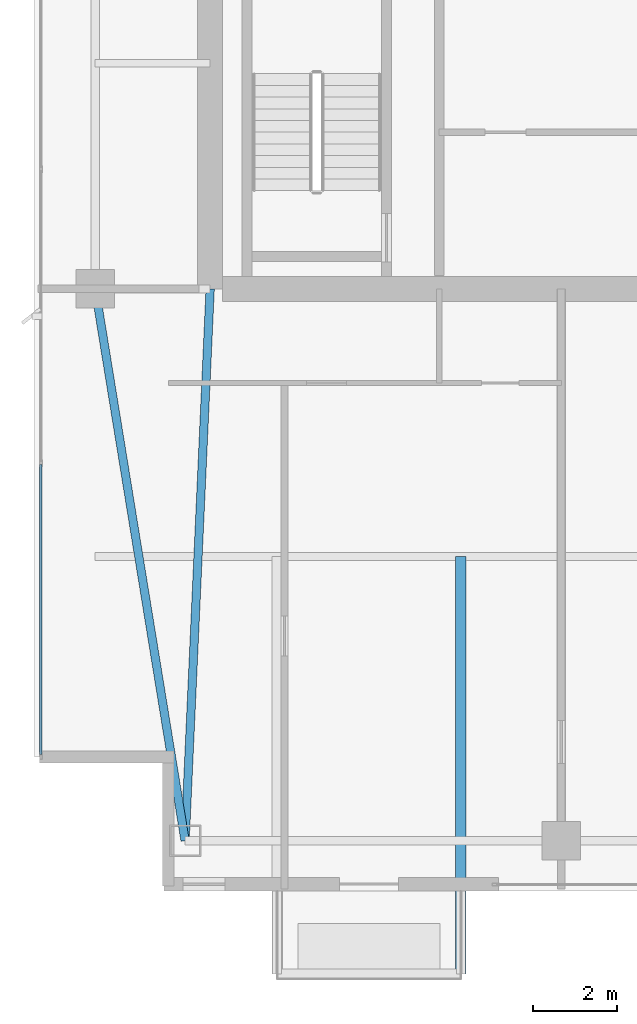
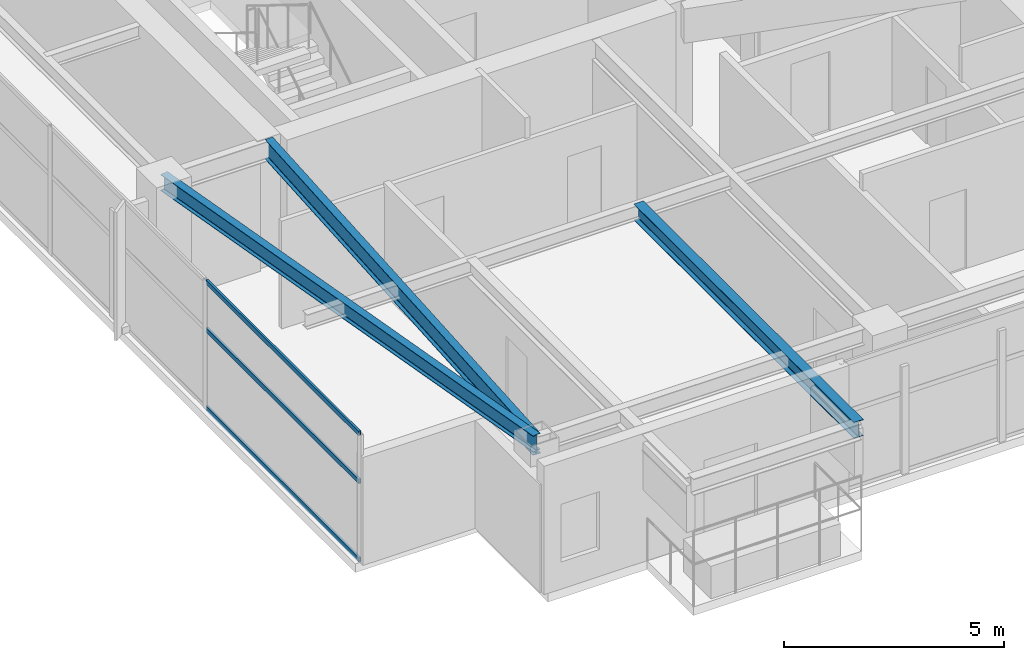
# One storey, part 4 of 28: 3 beams, 3 members, 1 element without a shape of its own.
"""IFC4 building model written with IfcOpenShell, lengths in metres."""

from ifc_helpers import new_model, si_unit, direction, frame, origin, origin_2d, place, context, subcontext, project, spatial, hollow_rectangle, i_section, extrude, material, layer, layer_set, material_profile, profile_set, type_object, element, aggregate, save


model = new_model("IFC4")

# Units and contexts
model_context = context("Model", 3, precision=1e-05, world=origin(), true_north=direction((0.0, 1.0)))
body_context = subcontext(model_context, "Body", "Model", "MODEL_VIEW")
ifc_project = project(units=[si_unit("LENGTHUNIT", "METRE"), si_unit("AREAUNIT", "SQUARE_METRE"), si_unit("VOLUMEUNIT", "CUBIC_METRE"), si_unit("PLANEANGLEUNIT", "RADIAN"), si_unit("MASSUNIT", "GRAM", prefix="KILO")], contexts=[model_context])

# Site, building, storey
site_placement = place(None, origin())
site = spatial("IfcSite", under=ifc_project, at=site_placement, CompositionType="ELEMENT")
building_placement = place(site_placement, origin())
building = spatial("IfcBuilding", under=site, at=building_placement, Name="Calvorn Quay Hotel", CompositionType="ELEMENT")
storey_placement = place(building_placement, frame((0.0, 0.0, 271.10009765625)))
storey = spatial("IfcBuildingStorey", under=building, at=storey_placement, Name="L67", CompositionType="ELEMENT", Elevation=271.10009765625)

# Beams
ifc_material_1 = material(Name="Steel Q355B", Category="steel")
ifc_material_profile_1 = material_profile(ifc_material_1, i_section(OverallWidth=0.25, OverallDepth=0.449951171875, WebThickness=0.011962890625, FlangeThickness=0.01611328125, FilletRadius=0.01611328125, at=origin_2d()), Name="HN450x250x12x16")
ifc_profile_set_1 = profile_set([ifc_material_profile_1], Name="Steel Q355B")
beam_type_1 = type_object("IfcBeamType", Name="BM-CANT-BALC", PredefinedType="BEAM", material=ifc_profile_set_1)
beam_1_placement = place(storey_placement, frame((10.199951171875, 10.39990234375, 3.31494140625), z_axis=(0.0, -1.0, 0.0), x_axis=(1.0, 0.0, 0.0)))
element("IfcBeam", 1, at=beam_1_placement, inside=storey, type_object=beam_type_1, Name="Cantilever Balcony Beam BCB-L68-2B", PredefinedType="BEAM", context=body_context, shape_type="SweptSolid", body=[
    extrude(i_section(OverallWidth=0.25, OverallDepth=0.449951171875, WebThickness=0.011962890625, FlangeThickness=0.01611328125, FilletRadius=0.01611328125, at=origin_2d()), origin(), (0.0, 0.0, 1.0), 9.989990234375),
])
ifc_material_2 = material(Name="Steel Q355B", Category="steel")
ifc_material_profile_2 = material_profile(ifc_material_2, i_section(OverallWidth=0.199951171875, OverallDepth=0.550048828125, WebThickness=0.010009765625, FlangeThickness=0.01611328125, FilletRadius=0.01806640625, at=origin_2d()), Name="HN550x200x10x16")
ifc_profile_set_2 = profile_set([ifc_material_profile_2], Name="Steel Q355B")
beam_type_2 = type_object("IfcBeamType", Name="BM-GIRD-UPP", PredefinedType="BEAM", material=ifc_profile_set_2)
beam_2_placement = place(storey_placement, frame((3.60009765625, 3.60009765625, 3.264892578125), z_axis=(0.045396765494, 0.998969035397, 0.0), x_axis=(-0.998969035397, 0.045396765494, 0.0)))
element("IfcBeam", 2, at=beam_2_placement, inside=storey, type_object=beam_type_2, Name="Beam BG-L67-W0", PredefinedType="BEAM", context=body_context, shape_type="SweptSolid", body=[
    extrude(i_section(OverallWidth=0.199951171875, OverallDepth=0.550048828125, WebThickness=0.010009765625, FlangeThickness=0.01611328125, FilletRadius=0.01806640625, at=origin_2d()), origin(), (0.0, 0.0, 1.0), 13.213623046875),
])
ifc_material_3 = material(Name="Steel Q355B", Category="steel")
ifc_material_profile_3 = material_profile(ifc_material_3, i_section(OverallWidth=0.199951171875, OverallDepth=0.449951171875, WebThickness=0.009033203125, FlangeThickness=0.013916015625, FilletRadius=0.01611328125, at=origin_2d()), Name="HN450x200x9x14")
ifc_profile_set_3 = profile_set([ifc_material_profile_3], Name="Steel Q355B")
beam_type_3 = type_object("IfcBeamType", Name="BM-SPANDREL-Z3", PredefinedType="SPANDREL", material=ifc_profile_set_3)
beam_3_placement = place(storey_placement, frame((3.60009765625, 3.60009765625, 3.31494140625), z_axis=(-0.16077155054, 0.986991645627, 0.0), x_axis=(-0.986991645627, -0.16077155054, 0.0)))
element("IfcBeam", 3, at=beam_3_placement, inside=storey, type_object=beam_type_3, Name="Beam BSP-L67-W1", PredefinedType="SPANDREL", context=body_context, shape_type="SweptSolid", body=[
    extrude(i_section(OverallWidth=0.199951171875, OverallDepth=0.449951171875, WebThickness=0.009033203125, FlangeThickness=0.013916015625, FilletRadius=0.01611328125, at=origin_2d()), origin(), (0.0, 0.0, 1.0), 13.3740234375),
])

# Curtain wall, members
ifc_material_4 = material(Name="Champagne Bronze Anodised Aluminium and Low-E Glass", Category="aluminium")
ifc_layer = layer(ifc_material_4, 0.219970703125)
ifc_layer_set = layer_set([ifc_layer], Name="CW-SYS-Z4")
curtain_wall_type = type_object("IfcCurtainWallType", Name="CW-SYS-Z4", PredefinedType="NOTDEFINED", material=ifc_layer_set)
curtain_wall_placement = place(storey_placement, origin())
curtain_wall = element("IfcCurtainWall", 4, at=curtain_wall_placement, inside=storey, type_object=curtain_wall_type, Name="Tower West Curtain Wall (L67)", PredefinedType="NOTDEFINED")
ifc_material_5 = material(Name="Champagne Bronze Anodised Aluminium 6063-T6", Category="aluminium")
ifc_material_profile_4 = material_profile(ifc_material_5, hollow_rectangle(XDim=0.054931640625, YDim=0.1298828125, WallThickness=0.003173828125, at=origin_2d()), Name="ALU-T130x55x3.2")
ifc_profile_set_4 = profile_set([ifc_material_profile_4], Name="Champagne Bronze Anodised Aluminium 6063-T6")
member_type = type_object("IfcMemberType", Name="CW-SYS-Z4-TRN", PredefinedType="USERDEFINED", material=ifc_profile_set_4)
member_1_placement = place(storey_placement, frame((0.14990234375, 5.659912109375, 0.02978515625), z_axis=(0.0, 1.0, 0.0), x_axis=(-1.0, 0.0, 0.0)))
member_1 = element("IfcMember", 5, at=member_1_placement, type_object=member_type, Name="CW-L67-W transom 1.1", ObjectType="TRANSOM", PredefinedType="USERDEFINED", context=body_context, shape_type="SweptSolid", body=[
    extrude(hollow_rectangle(XDim=0.054931640625, YDim=0.1298828125, WallThickness=0.003173828125, at=origin_2d()), origin(), (0.0, 0.0, 1.0), 6.943359375),
])
member_2_placement = place(storey_placement, frame((0.14990234375, 5.659912109375, 2.199951171875), z_axis=(0.0, 1.0, 0.0), x_axis=(-1.0, 0.0, 0.0)))
member_2 = element("IfcMember", 6, at=member_2_placement, type_object=member_type, Name="CW-L67-W transom 1.2", ObjectType="TRANSOM", PredefinedType="USERDEFINED", context=body_context, shape_type="SweptSolid", body=[
    extrude(hollow_rectangle(XDim=0.054931640625, YDim=0.1298828125, WallThickness=0.003173828125, at=origin_2d()), origin(), (0.0, 0.0, 1.0), 6.943359375),
])
member_3_placement = place(storey_placement, frame((0.14990234375, 5.659912109375, 3.52978515625), z_axis=(0.0, 1.0, 0.0), x_axis=(-1.0, 0.0, 0.0)))
member_3 = element("IfcMember", 7, at=member_3_placement, type_object=member_type, Name="CW-L67-W transom 1.3", ObjectType="TRANSOM", PredefinedType="USERDEFINED", context=body_context, shape_type="SweptSolid", body=[
    extrude(hollow_rectangle(XDim=0.054931640625, YDim=0.1298828125, WallThickness=0.003173828125, at=origin_2d()), origin(), (0.0, 0.0, 1.0), 6.943359375),
])
aggregate(curtain_wall, [member_1, member_2, member_3])

save(model, "model.ifc")
